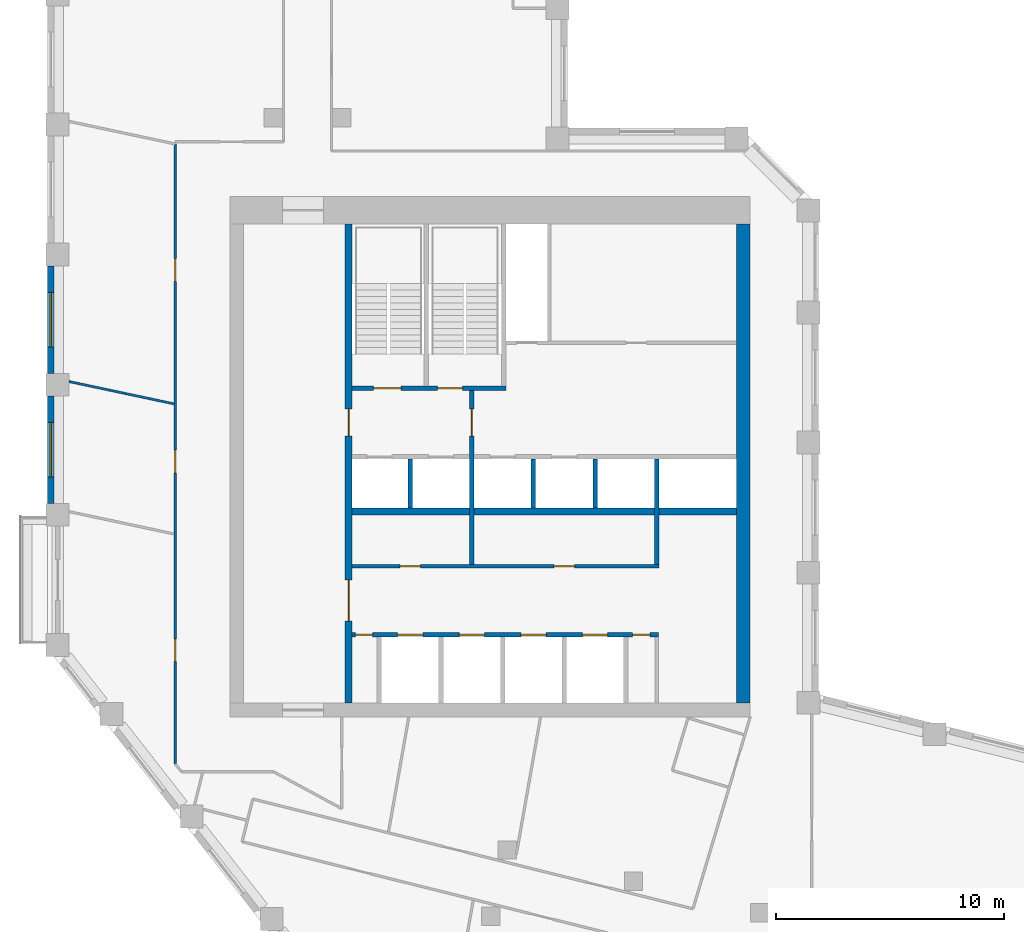
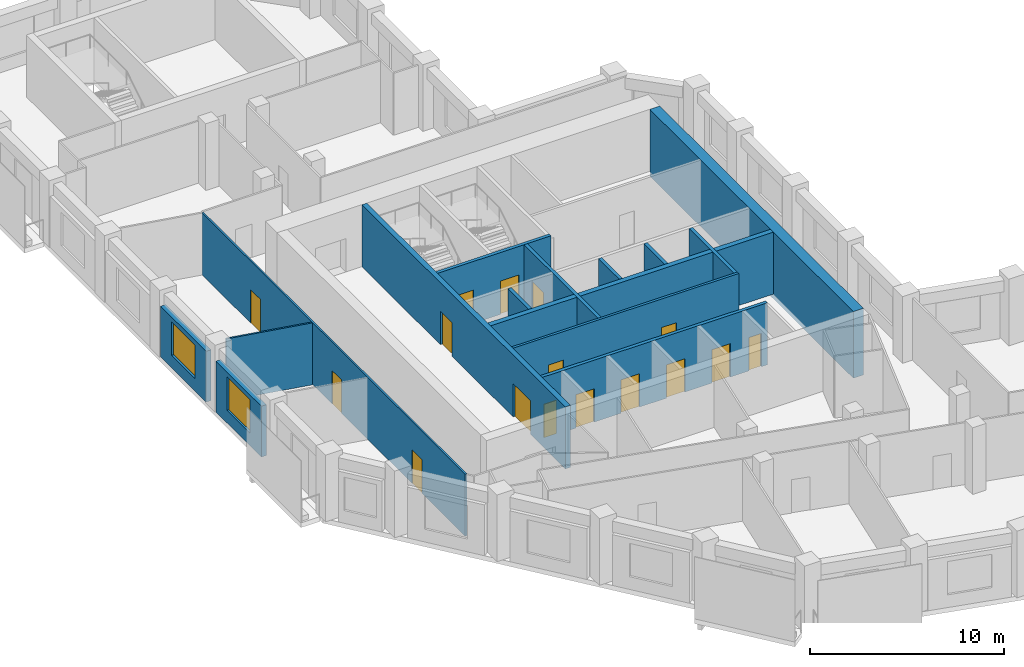
# One storey, part 5 of 9: 16 doors, 15 walls, 2 windows, 18 openings.
"""IFC4 building model written with IfcOpenShell, lengths in metres."""

from ifc_helpers import new_model, si_unit, direction, frame, frame_2d, origin, place, context, subcontext, project, spatial, rectangle, extrude, material, layer, layer_set, type_object, element, fill, save


model = new_model("IFC4")

# Units and contexts
model_context = context("Model", 3, precision=1e-05, world=origin(), true_north=direction((0.0, 1.0)))
body_context = subcontext(model_context, "Body", "Model", "MODEL_VIEW")
ifc_project = project(units=[si_unit("LENGTHUNIT", "METRE"), si_unit("AREAUNIT", "SQUARE_METRE"), si_unit("VOLUMEUNIT", "CUBIC_METRE"), si_unit("PLANEANGLEUNIT", "RADIAN"), si_unit("MASSUNIT", "GRAM", prefix="KILO")], contexts=[model_context])

# Site, building, storey
site_placement = place(None, origin())
site = spatial("IfcSite", under=ifc_project, at=site_placement, CompositionType="ELEMENT")
building_placement = place(site_placement, origin())
building = spatial("IfcBuilding", under=site, at=building_placement, Name="Meshkara Civic Tower", CompositionType="ELEMENT")
storey_placement = place(building_placement, frame((0.0, 0.0, 294.0)))
storey = spatial("IfcBuildingStorey", under=building, at=storey_placement, Name="L67", CompositionType="ELEMENT", Elevation=294.0)

# Wall, openings, doors
ifc_material_1 = material(Name="Blockwork", Category="masonry")
ifc_layer_1 = layer(ifc_material_1, 0.14990234375)
ifc_layer_set_1 = layer_set([ifc_layer_1], Name="Core partition 150")
wall_type_1 = type_object("IfcWallType", Name="Core partition 150", PredefinedType="PARTITIONING", material=ifc_layer_set_1)
wall_1_placement = place(storey_placement, frame((13.35009765625, 20.699951171875, 0.0), z_axis=(0.0, 0.0, 1.0), x_axis=(1.0, 0.0, 0.0)))
wall_1 = element("IfcWall", 1, at=wall_1_placement, inside=storey, type_object=wall_type_1, Name="L67-C006", PredefinedType="PARTITIONING", context=body_context, shape_type="SweptSolid", body=[
    extrude(rectangle(XDim=13.449951171875, YDim=0.14990234375, at=frame_2d((6.72509765625, 0.0))), origin(), (0.0, 0.0, 1.0), 3.89990234375),
])
opening_1_placement = place(wall_1_placement, frame((2.10009765625, 0.0, 0.0)))
opening_1 = element("IfcOpeningElement", 2, at=opening_1_placement, cuts=wall_1, Name="Opening L67-K011", PredefinedType="OPENING", context=body_context, shape_type="SweptSolid", body=[
    extrude(rectangle(XDim=0.89990234375, YDim=2.10009765625, at=frame_2d((0.449951171875, 1.050048828125))), frame((0.0, 0.0849609375, 0.0), z_axis=(0.0, -1.0, 0.0), x_axis=(1.0, 0.0, 0.0)), (0.0, 0.0, 1.0), 0.169921875),
])
opening_2_placement = place(wall_1_placement, frame((8.85009765625, 0.0, 0.0)))
opening_2 = element("IfcOpeningElement", 3, at=opening_2_placement, cuts=wall_1, Name="Opening L67-K012", PredefinedType="OPENING", context=body_context, shape_type="SweptSolid", body=[
    extrude(rectangle(XDim=0.89990234375, YDim=2.10009765625, at=frame_2d((0.449951171875, 1.050048828125))), frame((0.0, 0.0849609375, 0.0), z_axis=(0.0, -1.0, 0.0), x_axis=(1.0, 0.0, 0.0)), (0.0, 0.0, 1.0), 0.169921875),
])
ifc_material_2 = material(Name="Timber door leaf in steel frame", Category="steel")
door_type_1 = type_object("IfcDoorType", Name="Core room door 900", OperationType="SINGLE_SWING_LEFT", PredefinedType="DOOR", material=ifc_material_2)
door_1_placement = place(opening_1_placement, origin())
door_1 = element("IfcDoor", 4, at=door_1_placement, inside=storey, type_object=door_type_1, Name="L67-K011", OperationType="SINGLE_SWING_RIGHT", OverallHeight=2.10009765625, OverallWidth=0.89990234375, PredefinedType="DOOR", context=body_context, shape_type="SweptSolid", body=[
    extrude(rectangle(XDim=0.89990234375, YDim=2.10009765625, at=frame_2d((0.449951171875, 1.050048828125))), frame((0.0, 0.02490234375, 0.0), z_axis=(0.0, -1.0, 0.0), x_axis=(1.0, 0.0, 0.0)), (0.0, 0.0, 1.0), 0.050048828125),
])
fill(opening_1, door_1)
door_2_placement = place(opening_2_placement, origin())
door_2 = element("IfcDoor", 5, at=door_2_placement, inside=storey, type_object=door_type_1, Name="L67-K012", OperationType="SINGLE_SWING_RIGHT", OverallHeight=2.10009765625, OverallWidth=0.89990234375, PredefinedType="DOOR", context=body_context, shape_type="SweptSolid", body=[
    extrude(rectangle(XDim=0.89990234375, YDim=2.10009765625, at=frame_2d((0.449951171875, 1.050048828125))), frame((0.0, 0.02490234375, 0.0), z_axis=(0.0, -1.0, 0.0), x_axis=(1.0, 0.0, 0.0)), (0.0, 0.0, 1.0), 0.050048828125),
])
fill(opening_2, door_2)

# Walls
ifc_material_3 = material(Name="Concrete C60", Category="concrete")
ifc_layer_2 = layer(ifc_material_3, 0.60009765625)
ifc_layer_set_2 = layer_set([ifc_layer_2], Name="Core ring wall 600 C60")
wall_type_2 = type_object("IfcWallType", Name="Core ring wall 600 C60", PredefinedType="SHEAR", material=ifc_layer_set_2)
wall_2_placement = place(storey_placement, frame((30.5, 14.699951171875, -0.300048828125), z_axis=(0.0, 0.0, 1.0), x_axis=(0.0, 1.0, 0.0)))
element("IfcWall", 6, at=wall_2_placement, inside=storey, type_object=wall_type_2, Name="L67-C004", PredefinedType="SHEAR", context=body_context, shape_type="SweptSolid", body=[
    extrude(rectangle(XDim=21.0, YDim=0.60009765625, at=frame_2d((10.5, 0.0))), origin(), (0.0, 0.0, 1.0), 4.199951171875),
])
ifc_material_4 = material(Name="Concrete C60", Category="concrete")
ifc_layer_3 = layer(ifc_material_4, 0.300048828125)
ifc_layer_set_3 = layer_set([ifc_layer_3], Name="Core shear wall 300 C60")
wall_type_3 = type_object("IfcWallType", Name="Core shear wall 300 C60", PredefinedType="SHEAR", material=ifc_layer_set_3)
wall_3_placement = place(storey_placement, frame((13.35009765625, 23.10009765625, 0.0), z_axis=(0.0, 0.0, 1.0), x_axis=(1.0, 0.0, 0.0)))
element("IfcWall", 7, at=wall_3_placement, inside=storey, type_object=wall_type_3, Name="L67-C007", PredefinedType="SHEAR", context=body_context, shape_type="SweptSolid", body=[
    extrude(rectangle(XDim=16.849853515625, YDim=0.300048828125, at=frame_2d((8.4248046875, 0.0))), origin(), (0.0, 0.0, 1.0), 3.89990234375),
])

# Wall, openings, doors
wall_4_placement = place(storey_placement, frame((13.199951171875, 14.699951171875, 0.0), z_axis=(0.0, 0.0, 1.0), x_axis=(0.0, 1.0, 0.0)))
wall_4 = element("IfcWall", 8, at=wall_4_placement, inside=storey, type_object=wall_type_3, Name="L67-C011", PredefinedType="SHEAR", context=body_context, shape_type="SweptSolid", body=[
    extrude(rectangle(XDim=21.0, YDim=0.300048828125, at=frame_2d((10.5, 0.0))), origin(), (0.0, 0.0, 1.0), 3.89990234375),
])
opening_3_placement = place(wall_4_placement, frame((3.60009765625, 0.0, 0.0)))
opening_3 = element("IfcOpeningElement", 9, at=opening_3_placement, cuts=wall_4, Name="Opening L67-K017", PredefinedType="OPENING", context=body_context, shape_type="SweptSolid", body=[
    extrude(rectangle(XDim=1.800048828125, YDim=2.10009765625, at=frame_2d((0.89990234375, 1.050048828125))), frame((0.0, 0.159912109375, 0.0), z_axis=(0.0, -1.0, 0.0), x_axis=(1.0, 0.0, 0.0)), (0.0, 0.0, 1.0), 0.320068359375),
])
opening_4_placement = place(wall_4_placement, frame((11.699951171875, 0.0, 0.0)))
opening_4 = element("IfcOpeningElement", 10, at=opening_4_placement, cuts=wall_4, Name="Opening L67-K018", PredefinedType="OPENING", context=body_context, shape_type="SweptSolid", body=[
    extrude(rectangle(XDim=1.199951171875, YDim=2.10009765625, at=frame_2d((0.60009765625, 1.050048828125))), frame((0.0, 0.159912109375, 0.0), z_axis=(0.0, -1.0, 0.0), x_axis=(1.0, 0.0, 0.0)), (0.0, 0.0, 1.0), 0.320068359375),
])
ifc_material_5 = material(Name="Fire-rated door leaf in steel frame", Category="steel")
door_type_2 = type_object("IfcDoorType", Name="Core double door 1800 EI 60", OperationType="DOUBLE_DOOR_SINGLE_SWING", PredefinedType="DOOR", material=ifc_material_5)
door_3_placement = place(opening_3_placement, origin())
door_3 = element("IfcDoor", 11, at=door_3_placement, inside=storey, type_object=door_type_2, Name="L67-K017", OperationType="DOUBLE_DOOR_SINGLE_SWING", OverallHeight=2.10009765625, OverallWidth=1.800048828125, PredefinedType="DOOR", context=body_context, shape_type="SweptSolid", body=[
    extrude(rectangle(XDim=1.800048828125, YDim=2.10009765625, at=frame_2d((0.89990234375, 1.050048828125))), frame((0.0, 0.02490234375, 0.0), z_axis=(0.0, -1.0, 0.0), x_axis=(1.0, 0.0, 0.0)), (0.0, 0.0, 1.0), 0.050048828125),
])
fill(opening_3, door_3)
ifc_material_6 = material(Name="Fire-rated door leaf in steel frame", Category="steel")
door_type_3 = type_object("IfcDoorType", Name="Fire-fighting lobby door 1200 EI 120", OperationType="SINGLE_SWING_LEFT", PredefinedType="DOOR", material=ifc_material_6)
door_4_placement = place(opening_4_placement, origin())
door_4 = element("IfcDoor", 12, at=door_4_placement, inside=storey, type_object=door_type_3, Name="L67-K018", OperationType="SINGLE_SWING_LEFT", OverallHeight=2.10009765625, OverallWidth=1.199951171875, PredefinedType="DOOR", context=body_context, shape_type="SweptSolid", body=[
    extrude(rectangle(XDim=1.199951171875, YDim=2.10009765625, at=frame_2d((0.60009765625, 1.050048828125))), frame((0.0, 0.02490234375, 0.0), z_axis=(0.0, -1.0, 0.0), x_axis=(1.0, 0.0, 0.0)), (0.0, 0.0, 1.0), 0.050048828125),
])
fill(opening_4, door_4)

ifc_material_7 = material(Name="Corridor wall 100")
ifc_layer_4 = layer(ifc_material_7, 0.10009765625)
ifc_layer_set_4 = layer_set([ifc_layer_4], Name="Corridor wall 100")
wall_type_4 = type_object("IfcWallType", Name="Corridor wall 100", PredefinedType="PARTITIONING", material=ifc_layer_set_4)
wall_5_placement = place(storey_placement, frame((5.60009765625, 12.04296875, 0.0), z_axis=(0.0, 0.0, 1.0), x_axis=(0.0, 1.0, 0.0)))
wall_5 = element("IfcWall", 13, at=wall_5_placement, inside=storey, type_object=wall_type_4, Name="L67-W003", PredefinedType="PARTITIONING", context=body_context, shape_type="SweptSolid", body=[
    extrude(rectangle(XDim=27.162109375, YDim=0.10009765625, at=frame_2d((13.5810546875, 0.0))), origin(), (0.0, 0.0, 1.0), 3.89990234375),
])
opening_5_placement = place(wall_5_placement, frame((4.47998046875, 0.0, 0.0)))
opening_5 = element("IfcOpeningElement", 14, at=opening_5_placement, cuts=wall_5, Name="Opening L67-D013", PredefinedType="OPENING", context=body_context, shape_type="SweptSolid", body=[
    extrude(rectangle(XDim=1.0, YDim=2.10009765625, at=frame_2d((0.5, 1.050048828125))), frame((0.0, 0.06005859375, 0.0), z_axis=(0.0, -1.0, 0.0), x_axis=(1.0, 0.0, 0.0)), (0.0, 0.0, 1.0), 0.1201171875),
])
opening_6_placement = place(wall_5_placement, frame((12.741943359375, 0.0, 0.0)))
opening_6 = element("IfcOpeningElement", 15, at=opening_6_placement, cuts=wall_5, Name="Opening L67-D016", PredefinedType="OPENING", context=body_context, shape_type="SweptSolid", body=[
    extrude(rectangle(XDim=1.0, YDim=2.10009765625, at=frame_2d((0.5, 1.050048828125))), frame((0.0, 0.06005859375, 0.0), z_axis=(0.0, -1.0, 0.0), x_axis=(1.0, 0.0, 0.0)), (0.0, 0.0, 1.0), 0.1201171875),
])
opening_7_placement = place(wall_5_placement, frame((21.14208984375, 0.0, 0.0)))
opening_7 = element("IfcOpeningElement", 16, at=opening_7_placement, cuts=wall_5, Name="Opening L67-D017", PredefinedType="OPENING", context=body_context, shape_type="SweptSolid", body=[
    extrude(rectangle(XDim=1.0, YDim=2.10009765625, at=frame_2d((0.5, 1.050048828125))), frame((0.0, 0.06005859375, 0.0), z_axis=(0.0, -1.0, 0.0), x_axis=(1.0, 0.0, 0.0)), (0.0, 0.0, 1.0), 0.1201171875),
])
ifc_material_8 = material(Name="Door 1000 x 2100")
door_type_4 = type_object("IfcDoorType", Name="Door 1000 x 2100", OperationType="SINGLE_SWING_LEFT", PredefinedType="DOOR", material=ifc_material_8)
door_5_placement = place(opening_5_placement, origin())
door_5 = element("IfcDoor", 17, at=door_5_placement, inside=storey, type_object=door_type_4, Name="L67-D013", OperationType="SINGLE_SWING_LEFT", OverallHeight=2.10009765625, OverallWidth=1.0, PredefinedType="DOOR", context=body_context, shape_type="SweptSolid", body=[
    extrude(rectangle(XDim=1.0, YDim=2.10009765625, at=frame_2d((0.5, 1.050048828125))), frame((0.0, 0.02490234375, 0.0), z_axis=(0.0, -1.0, 0.0), x_axis=(1.0, 0.0, 0.0)), (0.0, 0.0, 1.0), 0.050048828125),
])
fill(opening_5, door_5)
door_6_placement = place(opening_6_placement, origin())
door_6 = element("IfcDoor", 18, at=door_6_placement, inside=storey, type_object=door_type_4, Name="L67-D016", OperationType="SINGLE_SWING_RIGHT", OverallHeight=2.10009765625, OverallWidth=1.0, PredefinedType="DOOR", context=body_context, shape_type="SweptSolid", body=[
    extrude(rectangle(XDim=1.0, YDim=2.10009765625, at=frame_2d((0.5, 1.050048828125))), frame((0.0, 0.02490234375, 0.0), z_axis=(0.0, -1.0, 0.0), x_axis=(1.0, 0.0, 0.0)), (0.0, 0.0, 1.0), 0.050048828125),
])
fill(opening_6, door_6)
door_7_placement = place(opening_7_placement, origin())
door_7 = element("IfcDoor", 19, at=door_7_placement, inside=storey, type_object=door_type_4, Name="L67-D017", OperationType="SINGLE_SWING_RIGHT", OverallHeight=2.10009765625, OverallWidth=1.0, PredefinedType="DOOR", context=body_context, shape_type="SweptSolid", body=[
    extrude(rectangle(XDim=1.0, YDim=2.10009765625, at=frame_2d((0.5, 1.050048828125))), frame((0.0, 0.02490234375, 0.0), z_axis=(0.0, -1.0, 0.0), x_axis=(1.0, 0.0, 0.0)), (0.0, 0.0, 1.0), 0.050048828125),
])
fill(opening_7, door_7)

# Wall, opening, window
ifc_material_9 = material(Name="Insulated infill panel with bronze anodised aluminium cladding", Category="aluminium")
ifc_layer_5 = layer(ifc_material_9, 0.300048828125)
ifc_layer_set_5 = layer_set([ifc_layer_5], Name="EXTERNAL INFILL WALL 300")
wall_type_5 = type_object("IfcWallType", Name="EXTERNAL INFILL WALL 300", PredefinedType="SOLIDWALL", material=ifc_layer_set_5)
wall_6_placement = place(storey_placement, frame((0.14990234375, 33.85498046875, 0.0), z_axis=(0.0, 0.0, 1.0), x_axis=(0.0, -1.0, 0.0)))
wall_6 = element("IfcWall", 20, at=wall_6_placement, inside=storey, type_object=wall_type_5, Name="External wall", PredefinedType="SOLIDWALL", context=body_context, shape_type="SweptSolid", body=[
    extrude(rectangle(XDim=4.699951171875, YDim=0.300048828125, at=frame_2d((2.35009765625, 0.0))), origin(), (0.0, 0.0, 1.0), 3.199951171875),
])
opening_8_placement = place(wall_6_placement, frame((1.14990234375, 0.0, 0.800048828125)))
opening_8 = element("IfcOpeningElement", 21, at=opening_8_placement, cuts=wall_6, Name="Opening W7", PredefinedType="OPENING", context=body_context, shape_type="SweptSolid", body=[
    extrude(rectangle(XDim=2.39990234375, YDim=2.10009765625, at=frame_2d((1.199951171875, 1.050048828125))), frame((0.0, 0.159912109375, 0.0), z_axis=(0.0, -1.0, 0.0), x_axis=(1.0, 0.0, 0.0)), (0.0, 0.0, 1.0), 0.320068359375),
])
ifc_material_10 = material(Name="Tinted double glazing", Category="glass")
window_type = type_object("IfcWindowType", Name="WINDOW 2400x2100", PartitioningType="DOUBLE_PANEL_VERTICAL", PredefinedType="WINDOW", material=ifc_material_10)
window_1_placement = place(opening_8_placement, origin())
window_1 = element("IfcWindow", 22, at=window_1_placement, inside=storey, type_object=window_type, Name="Window", OverallHeight=2.10009765625, OverallWidth=2.39990234375, PartitioningType="DOUBLE_PANEL_VERTICAL", PredefinedType="WINDOW", context=body_context, shape_type="SweptSolid", body=[
    extrude(rectangle(XDim=2.39990234375, YDim=2.10009765625, at=frame_2d((1.199951171875, 1.050048828125))), frame((0.0, 0.030029296875, 0.0), z_axis=(0.0, -1.0, 0.0), x_axis=(1.0, 0.0, 0.0)), (0.0, 0.0, 1.0), 0.06005859375),
])
fill(opening_8, window_1)

wall_7_placement = place(storey_placement, frame((0.14990234375, 28.155029296875, 0.0), z_axis=(0.0, 0.0, 1.0), x_axis=(0.0, -1.0, 0.0)))
wall_7 = element("IfcWall", 23, at=wall_7_placement, inside=storey, type_object=wall_type_5, Name="External wall", PredefinedType="SOLIDWALL", context=body_context, shape_type="SweptSolid", body=[
    extrude(rectangle(XDim=4.699951171875, YDim=0.300048828125, at=frame_2d((2.35009765625, 0.0))), origin(), (0.0, 0.0, 1.0), 3.199951171875),
])
opening_9_placement = place(wall_7_placement, frame((1.14990234375, 0.0, 0.800048828125)))
opening_9 = element("IfcOpeningElement", 24, at=opening_9_placement, cuts=wall_7, Name="Opening W7", PredefinedType="OPENING", context=body_context, shape_type="SweptSolid", body=[
    extrude(rectangle(XDim=2.39990234375, YDim=2.10009765625, at=frame_2d((1.199951171875, 1.050048828125))), frame((0.0, 0.159912109375, 0.0), z_axis=(0.0, -1.0, 0.0), x_axis=(1.0, 0.0, 0.0)), (0.0, 0.0, 1.0), 0.320068359375),
])
window_2_placement = place(opening_9_placement, origin())
window_2 = element("IfcWindow", 25, at=window_2_placement, inside=storey, type_object=window_type, Name="Window", OverallHeight=2.10009765625, OverallWidth=2.39990234375, PartitioningType="DOUBLE_PANEL_VERTICAL", PredefinedType="WINDOW", context=body_context, shape_type="SweptSolid", body=[
    extrude(rectangle(XDim=2.39990234375, YDim=2.10009765625, at=frame_2d((1.199951171875, 1.050048828125))), frame((0.0, 0.030029296875, 0.0), z_axis=(0.0, -1.0, 0.0), x_axis=(1.0, 0.0, 0.0)), (0.0, 0.0, 1.0), 0.06005859375),
])
fill(opening_9, window_2)

# Wall
ifc_material_11 = material(Name="Partition 100")
ifc_layer_6 = layer(ifc_material_11, 0.10009765625)
ifc_layer_set_6 = layer_set([ifc_layer_6], Name="Partition 100")
wall_type_6 = type_object("IfcWallType", Name="Partition 100", PredefinedType="PARTITIONING", material=ifc_layer_set_6)
wall_8_placement = place(storey_placement, frame((5.5400390625, 27.818115234375, 0.0), z_axis=(0.0, 0.0, 1.0), x_axis=(-0.978139938949, 0.207947733417, 0.0)))
element("IfcWall", 26, at=wall_8_placement, inside=storey, type_object=wall_type_6, Name="L67-W037", PredefinedType="PARTITIONING", context=body_context, shape_type="SweptSolid", body=[
    extrude(rectangle(XDim=4.692626953125, YDim=0.10009765625, at=frame_2d((2.34619140625, 0.0))), origin(), (0.0, 0.0, 1.0), 3.89990234375),
])

# Wall, openings, doors
ifc_material_12 = material(Name="Concrete C40/50", Category="concrete")
ifc_layer_7 = layer(ifc_material_12, 0.199951171875)
ifc_layer_set_7 = layer_set([ifc_layer_7], Name="Shaft wall 200 C40/50")
wall_type_7 = type_object("IfcWallType", Name="Shaft wall 200 C40/50", PredefinedType="SOLIDWALL", material=ifc_layer_set_7)
wall_9_placement = place(storey_placement, frame((13.35009765625, 17.699951171875, 0.0), z_axis=(0.0, 0.0, 1.0), x_axis=(1.0, 0.0, 0.0)))
wall_9 = element("IfcWall", 27, at=wall_9_placement, inside=storey, type_object=wall_type_7, Name="L67-C005", PredefinedType="SOLIDWALL", context=body_context, shape_type="SweptSolid", body=[
    extrude(rectangle(XDim=13.4248046875, YDim=0.199951171875, at=frame_2d((6.71240234375, 0.0))), origin(), (0.0, 0.0, 1.0), 3.89990234375),
])
opening_10_placement = place(wall_9_placement, frame((2.0, 0.0, 0.0)))
opening_10 = element("IfcOpeningElement", 28, at=opening_10_placement, cuts=wall_9, Name="Opening L67-K001", PredefinedType="OPENING", context=body_context, shape_type="SweptSolid", body=[
    extrude(rectangle(XDim=1.10009765625, YDim=2.10009765625, at=frame_2d((0.550048828125, 1.050048828125))), frame((0.0, 0.10986328125, 0.0), z_axis=(0.0, -1.0, 0.0), x_axis=(1.0, 0.0, 0.0)), (0.0, 0.0, 1.0), 0.219970703125),
])
opening_11_placement = place(wall_9_placement, frame((4.699951171875, 0.0, 0.0)))
opening_11 = element("IfcOpeningElement", 29, at=opening_11_placement, cuts=wall_9, Name="Opening L67-K002", PredefinedType="OPENING", context=body_context, shape_type="SweptSolid", body=[
    extrude(rectangle(XDim=1.10009765625, YDim=2.10009765625, at=frame_2d((0.550048828125, 1.050048828125))), frame((0.0, 0.10986328125, 0.0), z_axis=(0.0, -1.0, 0.0), x_axis=(1.0, 0.0, 0.0)), (0.0, 0.0, 1.0), 0.219970703125),
])
opening_12_placement = place(wall_9_placement, frame((7.39990234375, 0.0, 0.0)))
opening_12 = element("IfcOpeningElement", 30, at=opening_12_placement, cuts=wall_9, Name="Opening L67-K003", PredefinedType="OPENING", context=body_context, shape_type="SweptSolid", body=[
    extrude(rectangle(XDim=1.10009765625, YDim=2.10009765625, at=frame_2d((0.550048828125, 1.050048828125))), frame((0.0, 0.10986328125, 0.0), z_axis=(0.0, -1.0, 0.0), x_axis=(1.0, 0.0, 0.0)), (0.0, 0.0, 1.0), 0.219970703125),
])
opening_13_placement = place(wall_9_placement, frame((10.10009765625, 0.0, 0.0)))
opening_13 = element("IfcOpeningElement", 31, at=opening_13_placement, cuts=wall_9, Name="Opening L67-K004", PredefinedType="OPENING", context=body_context, shape_type="SweptSolid", body=[
    extrude(rectangle(XDim=1.10009765625, YDim=2.10009765625, at=frame_2d((0.550048828125, 1.050048828125))), frame((0.0, 0.10986328125, 0.0), z_axis=(0.0, -1.0, 0.0), x_axis=(1.0, 0.0, 0.0)), (0.0, 0.0, 1.0), 0.219970703125),
])
opening_14_placement = place(wall_9_placement, frame((0.14990234375, 0.0, 0.0)))
opening_14 = element("IfcOpeningElement", 32, at=opening_14_placement, cuts=wall_9, Name="Opening L67-K009", PredefinedType="OPENING", context=body_context, shape_type="SweptSolid", body=[
    extrude(rectangle(XDim=0.75, YDim=2.10009765625, at=frame_2d((0.375, 1.050048828125))), frame((0.0, 0.10986328125, 0.0), z_axis=(0.0, -1.0, 0.0), x_axis=(1.0, 0.0, 0.0)), (0.0, 0.0, 1.0), 0.219970703125),
])
opening_15_placement = place(wall_9_placement, frame((12.300048828125, 0.0, 0.0)))
opening_15 = element("IfcOpeningElement", 33, at=opening_15_placement, cuts=wall_9, Name="Opening L67-K010", PredefinedType="OPENING", context=body_context, shape_type="SweptSolid", body=[
    extrude(rectangle(XDim=0.75, YDim=2.10009765625, at=frame_2d((0.375, 1.050048828125))), frame((0.0, 0.10986328125, 0.0), z_axis=(0.0, -1.0, 0.0), x_axis=(1.0, 0.0, 0.0)), (0.0, 0.0, 1.0), 0.219970703125),
])
ifc_material_13 = material(Name="Timber door leaf in steel frame", Category="steel")
door_type_5 = type_object("IfcDoorType", Name="Core room door 750", OperationType="SINGLE_SWING_LEFT", PredefinedType="DOOR", material=ifc_material_13)
door_8_placement = place(opening_14_placement, origin())
door_8 = element("IfcDoor", 34, at=door_8_placement, inside=storey, type_object=door_type_5, Name="L67-K009", OperationType="SINGLE_SWING_RIGHT", OverallHeight=2.10009765625, OverallWidth=0.75, PredefinedType="DOOR", context=body_context, shape_type="SweptSolid", body=[
    extrude(rectangle(XDim=0.75, YDim=2.10009765625, at=frame_2d((0.375, 1.050048828125))), frame((0.0, 0.02490234375, 0.0), z_axis=(0.0, -1.0, 0.0), x_axis=(1.0, 0.0, 0.0)), (0.0, 0.0, 1.0), 0.050048828125),
])
fill(opening_14, door_8)
door_9_placement = place(opening_15_placement, origin())
door_9 = element("IfcDoor", 35, at=door_9_placement, inside=storey, type_object=door_type_5, Name="L67-K010", OperationType="SINGLE_SWING_RIGHT", OverallHeight=2.10009765625, OverallWidth=0.75, PredefinedType="DOOR", context=body_context, shape_type="SweptSolid", body=[
    extrude(rectangle(XDim=0.75, YDim=2.10009765625, at=frame_2d((0.375, 1.050048828125))), frame((0.0, 0.02490234375, 0.0), z_axis=(0.0, -1.0, 0.0), x_axis=(1.0, 0.0, 0.0)), (0.0, 0.0, 1.0), 0.050048828125),
])
fill(opening_15, door_9)
ifc_material_14 = material(Name="Stainless steel landing door", Category="steel")
door_type_6 = type_object("IfcDoorType", Name="Lift landing door 1100", OperationType="SLIDING_TO_LEFT", PredefinedType="DOOR", material=ifc_material_14)
door_10_placement = place(opening_10_placement, origin())
door_10 = element("IfcDoor", 36, at=door_10_placement, inside=storey, type_object=door_type_6, Name="L67-K001", OperationType="SLIDING_TO_LEFT", OverallHeight=2.10009765625, OverallWidth=1.10009765625, PredefinedType="DOOR", context=body_context, shape_type="SweptSolid", body=[
    extrude(rectangle(XDim=1.10009765625, YDim=2.10009765625, at=frame_2d((0.550048828125, 1.050048828125))), frame((0.0, 0.02490234375, 0.0), z_axis=(0.0, -1.0, 0.0), x_axis=(1.0, 0.0, 0.0)), (0.0, 0.0, 1.0), 0.050048828125),
])
fill(opening_10, door_10)
door_11_placement = place(opening_11_placement, origin())
door_11 = element("IfcDoor", 37, at=door_11_placement, inside=storey, type_object=door_type_6, Name="L67-K002", OperationType="SLIDING_TO_LEFT", OverallHeight=2.10009765625, OverallWidth=1.10009765625, PredefinedType="DOOR", context=body_context, shape_type="SweptSolid", body=[
    extrude(rectangle(XDim=1.10009765625, YDim=2.10009765625, at=frame_2d((0.550048828125, 1.050048828125))), frame((0.0, 0.02490234375, 0.0), z_axis=(0.0, -1.0, 0.0), x_axis=(1.0, 0.0, 0.0)), (0.0, 0.0, 1.0), 0.050048828125),
])
fill(opening_11, door_11)
door_12_placement = place(opening_12_placement, origin())
door_12 = element("IfcDoor", 38, at=door_12_placement, inside=storey, type_object=door_type_6, Name="L67-K003", OperationType="SLIDING_TO_LEFT", OverallHeight=2.10009765625, OverallWidth=1.10009765625, PredefinedType="DOOR", context=body_context, shape_type="SweptSolid", body=[
    extrude(rectangle(XDim=1.10009765625, YDim=2.10009765625, at=frame_2d((0.550048828125, 1.050048828125))), frame((0.0, 0.02490234375, 0.0), z_axis=(0.0, -1.0, 0.0), x_axis=(1.0, 0.0, 0.0)), (0.0, 0.0, 1.0), 0.050048828125),
])
fill(opening_12, door_12)
door_13_placement = place(opening_13_placement, origin())
door_13 = element("IfcDoor", 39, at=door_13_placement, inside=storey, type_object=door_type_6, Name="L67-K004", OperationType="SLIDING_TO_LEFT", OverallHeight=2.10009765625, OverallWidth=1.10009765625, PredefinedType="DOOR", context=body_context, shape_type="SweptSolid", body=[
    extrude(rectangle(XDim=1.10009765625, YDim=2.10009765625, at=frame_2d((0.550048828125, 1.050048828125))), frame((0.0, 0.02490234375, 0.0), z_axis=(0.0, -1.0, 0.0), x_axis=(1.0, 0.0, 0.0)), (0.0, 0.0, 1.0), 0.050048828125),
])
fill(opening_13, door_13)

# Wall
wall_10_placement = place(storey_placement, frame((15.89990234375, 23.25, 0.0), z_axis=(0.0, 0.0, 1.0), x_axis=(0.0, 1.0, 0.0)))
element("IfcWall", 40, at=wall_10_placement, inside=storey, type_object=wall_type_7, Name="L67-C013", PredefinedType="SOLIDWALL", context=body_context, shape_type="SweptSolid", body=[
    extrude(rectangle(XDim=2.14990234375, YDim=0.199951171875, at=frame_2d((1.074951171875, 0.0))), origin(), (0.0, 0.0, 1.0), 3.89990234375),
])

# Wall, opening, door
wall_11_placement = place(storey_placement, frame((18.60009765625, 20.77490234375, 0.0), z_axis=(0.0, 0.0, 1.0), x_axis=(0.0, 1.0, 0.0)))
wall_11 = element("IfcWall", 41, at=wall_11_placement, inside=storey, type_object=wall_type_7, Name="L67-C016", PredefinedType="SOLIDWALL", context=body_context, shape_type="SweptSolid", body=[
    extrude(rectangle(XDim=7.625, YDim=0.199951171875, at=frame_2d((3.8125, 0.0))), origin(), (0.0, 0.0, 1.0), 3.89990234375),
])
opening_16_placement = place(wall_11_placement, frame((5.625, 0.0, 0.0)))
opening_16 = element("IfcOpeningElement", 42, at=opening_16_placement, cuts=wall_11, Name="Opening L67-K019", PredefinedType="OPENING", context=body_context, shape_type="SweptSolid", body=[
    extrude(rectangle(XDim=1.199951171875, YDim=2.10009765625, at=frame_2d((0.60009765625, 1.050048828125))), frame((0.0, 0.10986328125, 0.0), z_axis=(0.0, -1.0, 0.0), x_axis=(1.0, 0.0, 0.0)), (0.0, 0.0, 1.0), 0.219970703125),
])
door_14_placement = place(opening_16_placement, origin())
door_14 = element("IfcDoor", 43, at=door_14_placement, inside=storey, type_object=door_type_3, Name="L67-K019", OperationType="SINGLE_SWING_RIGHT", OverallHeight=2.10009765625, OverallWidth=1.199951171875, PredefinedType="DOOR", context=body_context, shape_type="SweptSolid", body=[
    extrude(rectangle(XDim=1.199951171875, YDim=2.10009765625, at=frame_2d((0.60009765625, 1.050048828125))), frame((0.0, 0.02490234375, 0.0), z_axis=(0.0, -1.0, 0.0), x_axis=(1.0, 0.0, 0.0)), (0.0, 0.0, 1.0), 0.050048828125),
])
fill(opening_16, door_14)

# Walls
for number, where, z_axis, x_axis, name in (
    (44, (21.300048828125, 23.25, 0.0), (0.0, 0.0, 1.0), (0.0, 1.0, 0.0), "L67-C019"),
    (45, (24.0, 23.25, 0.0), (0.0, 0.0, 1.0), (0.0, 1.0, 0.0), "L67-C022"),
):
    element("IfcWall", number, at=place(storey_placement, frame(where, z_axis=z_axis, x_axis=x_axis)), inside=storey, type_object=wall_type_7, Name=name, PredefinedType="SOLIDWALL", context=body_context, shape_type="SweptSolid", body=[
        extrude(rectangle(XDim=2.14990234375, YDim=0.199951171875, at=frame_2d((1.074951171875, 0.0))), origin(), (0.0, 0.0, 1.0), 3.89990234375),
    ])
wall_12_placement = place(storey_placement, frame((26.699951171875, 20.77490234375, 0.0), z_axis=(0.0, 0.0, 1.0), x_axis=(0.0, 1.0, 0.0)))
element("IfcWall", 46, at=wall_12_placement, inside=storey, type_object=wall_type_7, Name="L67-C025", PredefinedType="SOLIDWALL", context=body_context, shape_type="SweptSolid", body=[
    extrude(rectangle(XDim=4.625, YDim=0.199951171875, at=frame_2d((2.3125, 0.0))), origin(), (0.0, 0.0, 1.0), 3.89990234375),
])

# Wall, openings, doors
ifc_material_15 = material(Name="Concrete C40/50", Category="concrete")
ifc_layer_8 = layer(ifc_material_15, 0.199951171875)
ifc_layer_set_8 = layer_set([ifc_layer_8], Name="Stair enclosure wall 200 C40/50")
wall_type_8 = type_object("IfcWallType", Name="Stair enclosure wall 200 C40/50", PredefinedType="SOLIDWALL", material=ifc_layer_set_8)
wall_13_placement = place(storey_placement, frame((13.35009765625, 28.5, 0.0), z_axis=(0.0, 0.0, 1.0), x_axis=(1.0, 0.0, 0.0)))
wall_13 = element("IfcWall", 47, at=wall_13_placement, inside=storey, type_object=wall_type_8, Name="L67-C009", PredefinedType="SOLIDWALL", context=body_context, shape_type="SweptSolid", body=[
    extrude(rectangle(XDim=6.75, YDim=0.199951171875, at=frame_2d((3.375, 0.0))), origin(), (0.0, 0.0, 1.0), 3.89990234375),
])
opening_17_placement = place(wall_13_placement, frame((0.949951171875, 0.0, 0.0)))
opening_17 = element("IfcOpeningElement", 48, at=opening_17_placement, cuts=wall_13, Name="Opening L67-K015", PredefinedType="OPENING", context=body_context, shape_type="SweptSolid", body=[
    extrude(rectangle(XDim=1.199951171875, YDim=2.10009765625, at=frame_2d((0.60009765625, 1.050048828125))), frame((0.0, 0.10986328125, 0.0), z_axis=(0.0, -1.0, 0.0), x_axis=(1.0, 0.0, 0.0)), (0.0, 0.0, 1.0), 0.219970703125),
])
opening_18_placement = place(wall_13_placement, frame((3.75, 0.0, 0.0)))
opening_18 = element("IfcOpeningElement", 49, at=opening_18_placement, cuts=wall_13, Name="Opening L67-K016", PredefinedType="OPENING", context=body_context, shape_type="SweptSolid", body=[
    extrude(rectangle(XDim=1.10009765625, YDim=2.10009765625, at=frame_2d((0.550048828125, 1.050048828125))), frame((0.0, 0.10986328125, 0.0), z_axis=(0.0, -1.0, 0.0), x_axis=(1.0, 0.0, 0.0)), (0.0, 0.0, 1.0), 0.219970703125),
])
ifc_material_16 = material(Name="Fire-rated door leaf in steel frame", Category="steel")
door_type_7 = type_object("IfcDoorType", Name="Stair door 1100 EI 120", OperationType="SINGLE_SWING_LEFT", PredefinedType="DOOR", material=ifc_material_16)
door_15_placement = place(opening_18_placement, origin())
door_15 = element("IfcDoor", 50, at=door_15_placement, inside=storey, type_object=door_type_7, Name="L67-K016", OperationType="SINGLE_SWING_LEFT", OverallHeight=2.10009765625, OverallWidth=1.10009765625, PredefinedType="DOOR", context=body_context, shape_type="SweptSolid", body=[
    extrude(rectangle(XDim=1.10009765625, YDim=2.10009765625, at=frame_2d((0.550048828125, 1.050048828125))), frame((0.0, 0.02490234375, 0.0), z_axis=(0.0, -1.0, 0.0), x_axis=(1.0, 0.0, 0.0)), (0.0, 0.0, 1.0), 0.050048828125),
])
fill(opening_18, door_15)
ifc_material_17 = material(Name="Fire-rated door leaf in steel frame", Category="steel")
door_type_8 = type_object("IfcDoorType", Name="Stair door 1200 EI 120", OperationType="SINGLE_SWING_LEFT", PredefinedType="DOOR", material=ifc_material_17)
door_16_placement = place(opening_17_placement, origin())
door_16 = element("IfcDoor", 51, at=door_16_placement, inside=storey, type_object=door_type_8, Name="L67-K015", OperationType="SINGLE_SWING_RIGHT", OverallHeight=2.10009765625, OverallWidth=1.199951171875, PredefinedType="DOOR", context=body_context, shape_type="SweptSolid", body=[
    extrude(rectangle(XDim=1.199951171875, YDim=2.10009765625, at=frame_2d((0.60009765625, 1.050048828125))), frame((0.0, 0.02490234375, 0.0), z_axis=(0.0, -1.0, 0.0), x_axis=(1.0, 0.0, 0.0)), (0.0, 0.0, 1.0), 0.050048828125),
])
fill(opening_17, door_16)

save(model, "model.ifc")
